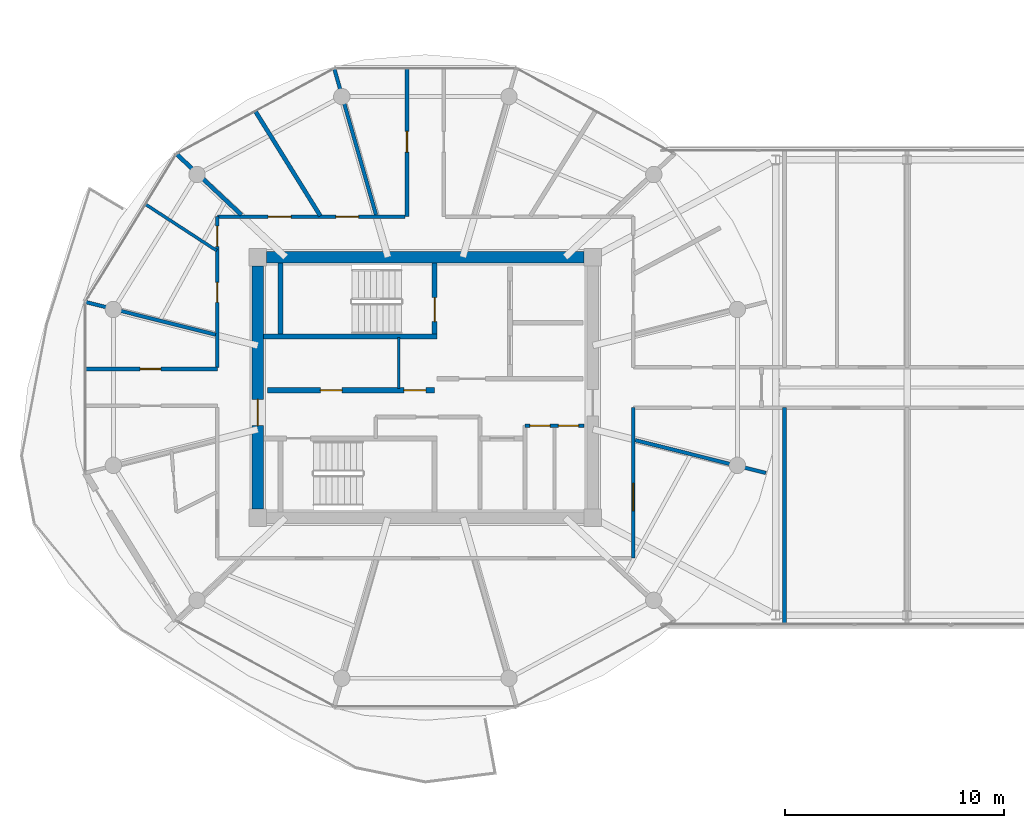
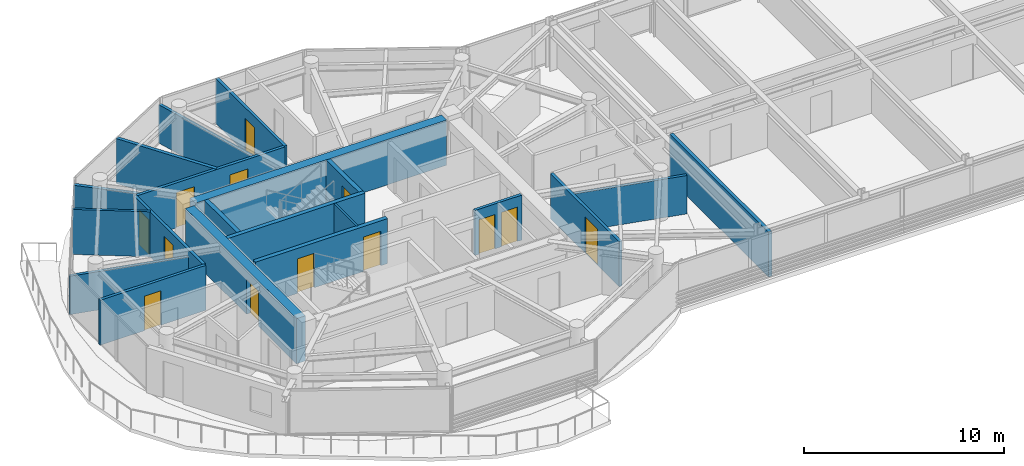
# One storey, part 14 of 23: 20 walls, 13 doors, 13 openings.
"""IFC4 building model written with IfcOpenShell, lengths in metres."""

from ifc_helpers import new_model, si_unit, direction, frame, frame_2d, origin, place, context, subcontext, project, spatial, rectangle, extrude, source, transform, mapped, material, layer, layer_set, type_object, type_shapes, element, fill, save


model = new_model("IFC4")

# Units and contexts
model_context = context("Model", 3, precision=1e-05, world=origin(), true_north=direction((0.0, 1.0)))
body_context = subcontext(model_context, "Body", "Model", "MODEL_VIEW")
ifc_project = project(units=[si_unit("LENGTHUNIT", "METRE"), si_unit("AREAUNIT", "SQUARE_METRE"), si_unit("VOLUMEUNIT", "CUBIC_METRE"), si_unit("PLANEANGLEUNIT", "RADIAN"), si_unit("MASSUNIT", "GRAM", prefix="KILO")], contexts=[model_context])

# Site, building, storey
site_placement = place(None, origin())
site = spatial("IfcSite", under=ifc_project, at=site_placement, CompositionType="ELEMENT")
building_placement = place(site_placement, origin())
building = spatial("IfcBuilding", under=site, at=building_placement, Name="Norrkilde Senior Care Towers", CompositionType="ELEMENT")
storey_placement = place(building_placement, frame((0.0, 0.0, 220.0)))
storey = spatial("IfcBuildingStorey", under=building, at=storey_placement, Name="L68", CompositionType="ELEMENT", Elevation=220.0)

# Wall
ifc_material_1 = material(Name="Concrete C50/60", Category="concrete")
ifc_layer_1 = layer(ifc_material_1, 0.52001953125)
ifc_layer_set_1 = layer_set([ifc_layer_1], Name="Concrete C50/60")
wall_type_1 = type_object("IfcWallType", Name="Core Shear Wall Z4 520", PredefinedType="SHEAR", material=ifc_layer_set_1)
shared_shape_1 = source(origin(), body_context, "Body", "SweptSolid", [
    extrude(rectangle(XDim=14.5, YDim=0.52001953125, at=frame_2d((7.25, 0.0))), origin(), (0.0, 0.0, 1.0), 2.760009765625),
])
wall_1_placement = place(storey_placement, frame((-35.25, 5.949951171875, 0.0), z_axis=(0.0, 0.0, 1.0), x_axis=(1.0, 0.0, 0.0)))
element("IfcWall", 1, at=wall_1_placement, inside=storey, type_object=wall_type_1, Name="L68 Core W North Shear Wall", PredefinedType="SHEAR", context=body_context, shape_type="MappedRepresentation", body=[
    mapped(shared_shape_1, transform((0.0, 0.0, 0.0), x_axis=(1.0, 0.0, 0.0), y_axis=(0.0, 1.0, 0.0), z_axis=(0.0, 0.0, 1.0), scale=1.0)),
])

# Wall, opening, door
shared_shape_2 = source(origin(), body_context, "Body", "SweptSolid", [
    extrude(rectangle(XDim=11.10009765625, YDim=0.52001953125, at=frame_2d((5.550048828125, 0.0))), origin(), (0.0, 0.0, 1.0), 2.760009765625),
])
type_shapes(wall_type_1, [shared_shape_1, shared_shape_2])
wall_2_placement = place(storey_placement, frame((-35.64990234375, -5.550048828125, 0.0), z_axis=(0.0, 0.0, 1.0), x_axis=(0.0, 1.0, 0.0)))
wall_2 = element("IfcWall", 2, at=wall_2_placement, inside=storey, type_object=wall_type_1, Name="L68 Core W West Shear Wall", PredefinedType="SHEAR", context=body_context, shape_type="MappedRepresentation", body=[
    mapped(shared_shape_2, transform((0.0, 0.0, 0.0), x_axis=(1.0, 0.0, 0.0), y_axis=(0.0, 1.0, 0.0), z_axis=(0.0, 0.0, 1.0), scale=1.0)),
])
opening_1_placement = place(wall_2_placement, frame((3.800048828125, 0.0, 0.0)))
opening_1 = element("IfcOpeningElement", 3, at=opening_1_placement, cuts=wall_2, Name="Opening D-04", PredefinedType="OPENING", context=body_context, shape_type="SweptSolid", body=[
    extrude(rectangle(XDim=1.199951171875, YDim=2.14990234375, at=frame_2d((0.60009765625, 1.074951171875))), frame((0.0, 0.27001953125, 0.0), z_axis=(0.0, -1.0, 0.0), x_axis=(1.0, 0.0, 0.0)), (0.0, 0.0, 1.0), 0.5400390625),
])
ifc_material_2 = material(Name="Galvanised Painted Steel", Category="steel")
door_type_1 = type_object("IfcDoorType", Name="Firefighting Lobby Fire Door 1200x2150", OperationType="NOTDEFINED", PredefinedType="DOOR", material=ifc_material_2)
shared_shape_3 = source(origin(), body_context, "Body", "SweptSolid", [
    extrude(rectangle(XDim=1.199951171875, YDim=2.14990234375, at=frame_2d((0.60009765625, 1.074951171875))), frame((0.0, 0.02490234375, 0.0), z_axis=(0.0, -1.0, 0.0), x_axis=(1.0, 0.0, 0.0)), (0.0, 0.0, 1.0), 0.050048828125),
])
type_shapes(door_type_1, [shared_shape_3])
door_1_placement = place(opening_1_placement, frame((1.199951171875, 0.0, 0.0), z_axis=(0.0, 0.0, 1.0), x_axis=(-1.0, 0.0, 0.0)))
door_1 = element("IfcDoor", 4, at=door_1_placement, inside=storey, type_object=door_type_1, Name="L68 Core W West Portal Door", OperationType="SINGLE_SWING_LEFT", OverallHeight=2.14990234375, OverallWidth=1.199951171875, PredefinedType="DOOR", context=body_context, shape_type="MappedRepresentation", body=[
    mapped(shared_shape_3, transform((0.0, 0.0, 0.0), x_axis=(1.0, 0.0, 0.0), y_axis=(0.0, 1.0, 0.0), z_axis=(0.0, 0.0, 1.0), scale=1.0)),
])
fill(opening_1, door_1)

# Walls
ifc_material_3 = material(Name="Concrete C45/55", Category="concrete")
ifc_layer_2 = layer(ifc_material_3, 0.239990234375)
ifc_layer_set_2 = layer_set([ifc_layer_2], Name="Concrete C45/55")
wall_type_2 = type_object("IfcWallType", Name="Shaft and Stair Enclosure Wall 240", PredefinedType="PARTITIONING", material=ifc_layer_set_2)
shared_shape_4 = source(origin(), body_context, "Body", "SweptSolid", [
    extrude(rectangle(XDim=7.929931640625, YDim=0.239990234375, at=frame_2d((3.96484375, 0.0))), origin(), (0.0, 0.0, 1.0), 2.760009765625),
])
wall_3_placement = place(storey_placement, frame((-35.389892578125, 2.330078125, 0.0), z_axis=(0.0, 0.0, 1.0), x_axis=(1.0, 0.0, 0.0)))
element("IfcWall", 5, at=wall_3_placement, inside=storey, type_object=wall_type_2, Name="WL-INT-L68-W-ST1S", PredefinedType="PARTITIONING", context=body_context, shape_type="MappedRepresentation", body=[
    mapped(shared_shape_4, transform((0.0, 0.0, 0.0), x_axis=(1.0, 0.0, 0.0), y_axis=(0.0, 1.0, 0.0), z_axis=(0.0, 0.0, 1.0), scale=1.0)),
])
shared_shape_5 = source(origin(), body_context, "Body", "SweptSolid", [
    extrude(rectangle(XDim=3.239990234375, YDim=0.239990234375, at=frame_2d((1.6201171875, 0.0))), origin(), (0.0, 0.0, 1.0), 2.760009765625),
])
type_shapes(wall_type_2, [shared_shape_4, shared_shape_5])
wall_4_placement = place(storey_placement, frame((-34.6201171875, 2.449951171875, 0.0), z_axis=(0.0, 0.0, 1.0), x_axis=(0.0, 1.0, 0.0)))
element("IfcWall", 6, at=wall_4_placement, inside=storey, type_object=wall_type_2, Name="WL-INT-L68-W-ST1W", PredefinedType="PARTITIONING", context=body_context, shape_type="MappedRepresentation", body=[
    mapped(shared_shape_5, transform((0.0, 0.0, 0.0), x_axis=(1.0, 0.0, 0.0), y_axis=(0.0, 1.0, 0.0), z_axis=(0.0, 0.0, 1.0), scale=1.0)),
])

# Wall, opening, door
wall_5_placement = place(storey_placement, frame((-27.580078125, 2.449951171875, 0.0), z_axis=(0.0, 0.0, 1.0), x_axis=(0.0, 1.0, 0.0)))
wall_5 = element("IfcWall", 7, at=wall_5_placement, inside=storey, type_object=wall_type_2, Name="WL-INT-L68-W-ST1E", PredefinedType="PARTITIONING", context=body_context, shape_type="MappedRepresentation", body=[
    mapped(shared_shape_5, transform((0.0, 0.0, 0.0), x_axis=(1.0, 0.0, 0.0), y_axis=(0.0, 1.0, 0.0), z_axis=(0.0, 0.0, 1.0), scale=1.0)),
])
opening_2_placement = place(wall_5_placement, frame((0.550048828125, 0.0, 0.0)))
opening_2 = element("IfcOpeningElement", 8, at=opening_2_placement, cuts=wall_5, Name="Opening D-03", PredefinedType="OPENING", context=body_context, shape_type="SweptSolid", body=[
    extrude(rectangle(XDim=1.10009765625, YDim=2.14990234375, at=frame_2d((0.550048828125, 1.074951171875))), frame((0.0, 0.1298828125, 0.0), z_axis=(0.0, -1.0, 0.0), x_axis=(1.0, 0.0, 0.0)), (0.0, 0.0, 1.0), 0.260009765625),
])
door_type_2 = type_object("IfcDoorType", Name="Stairwell Protected Fire Door 1100x2150", OperationType="NOTDEFINED", PredefinedType="DOOR", material=ifc_material_2)
shared_shape_6 = source(origin(), body_context, "Body", "SweptSolid", [
    extrude(rectangle(XDim=1.10009765625, YDim=2.14990234375, at=frame_2d((0.550048828125, 1.074951171875))), frame((0.0, 0.02490234375, 0.0), z_axis=(0.0, -1.0, 0.0), x_axis=(1.0, 0.0, 0.0)), (0.0, 0.0, 1.0), 0.050048828125),
])
type_shapes(door_type_2, [shared_shape_6])
door_2_placement = place(opening_2_placement, origin())
door_2 = element("IfcDoor", 9, at=door_2_placement, inside=storey, type_object=door_type_2, Name="L68 Stair W1 Fire Door", OperationType="SINGLE_SWING_LEFT", OverallHeight=2.14990234375, OverallWidth=1.10009765625, PredefinedType="DOOR", context=body_context, shape_type="MappedRepresentation", body=[
    mapped(shared_shape_6, transform((0.0, 0.0, 0.0), x_axis=(1.0, 0.0, 0.0), y_axis=(0.0, 1.0, 0.0), z_axis=(0.0, 0.0, 1.0), scale=1.0)),
])
fill(opening_2, door_2)

# Wall, openings, doors
ifc_layer_3 = layer(ifc_material_3, 0.239990234375)
ifc_layer_set_3 = layer_set([ifc_layer_3], Name="Concrete C45/55")
wall_type_3 = type_object("IfcWallType", Name="Lift and Plant Rated Enclosure Partition 240", PredefinedType="PARTITIONING", material=ifc_layer_set_3)
shared_shape_7 = source(origin(), body_context, "Body", "SweptSolid", [
    extrude(rectangle(XDim=7.619873046875, YDim=0.239990234375, at=frame_2d((3.81005859375, 0.0))), origin(), (0.0, 0.0, 1.0), 2.7451171875),
])
type_shapes(wall_type_3, [shared_shape_7])
wall_6_placement = place(storey_placement, frame((-35.199951171875, -0.1298828125, 0.0), z_axis=(0.0, 0.0, 1.0), x_axis=(1.0, 0.0, 0.0)))
wall_6 = element("IfcWall", 10, at=wall_6_placement, inside=storey, type_object=wall_type_3, Name="WL-INT-L68-W-PKAS", PredefinedType="PARTITIONING", context=body_context, shape_type="MappedRepresentation", body=[
    mapped(shared_shape_7, transform((0.0, 0.0, 0.0), x_axis=(1.0, 0.0, 0.0), y_axis=(0.0, 1.0, 0.0), z_axis=(0.0, 0.0, 1.0), scale=1.0)),
])
opening_3_placement = place(wall_6_placement, frame((6.219970703125, 0.0, 0.0)))
opening_3 = element("IfcOpeningElement", 11, at=opening_3_placement, cuts=wall_6, Name="Opening D-10", PredefinedType="OPENING", context=body_context, shape_type="SweptSolid", body=[
    extrude(rectangle(XDim=1.0, YDim=2.10009765625, at=frame_2d((0.5, 1.050048828125))), frame((0.0, 0.1298828125, 0.0), z_axis=(0.0, -1.0, 0.0), x_axis=(1.0, 0.0, 0.0)), (0.0, 0.0, 1.0), 0.260009765625),
])
opening_4_placement = place(wall_6_placement, frame((2.39990234375, 0.0, 0.0)))
opening_4 = element("IfcOpeningElement", 12, at=opening_4_placement, cuts=wall_6, Name="Opening D-10", PredefinedType="OPENING", context=body_context, shape_type="SweptSolid", body=[
    extrude(rectangle(XDim=1.0, YDim=2.10009765625, at=frame_2d((0.5, 1.050048828125))), frame((0.0, 0.1298828125, 0.0), z_axis=(0.0, -1.0, 0.0), x_axis=(1.0, 0.0, 0.0)), (0.0, 0.0, 1.0), 0.260009765625),
])
door_type_3 = type_object("IfcDoorType", Name="Plant and Riser Rated Door 1000x2100", OperationType="NOTDEFINED", PredefinedType="DOOR", material=ifc_material_2)
shared_shape_8 = source(origin(), body_context, "Body", "SweptSolid", [
    extrude(rectangle(XDim=1.0, YDim=2.10009765625, at=frame_2d((0.5, 1.050048828125))), frame((0.0, 0.02490234375, 0.0), z_axis=(0.0, -1.0, 0.0), x_axis=(1.0, 0.0, 0.0)), (0.0, 0.0, 1.0), 0.050048828125),
])
type_shapes(door_type_3, [shared_shape_8])
door_3_placement = place(opening_3_placement, frame((1.0, 0.0, 0.0), z_axis=(0.0, 0.0, 1.0), x_axis=(-1.0, 0.0, 0.0)))
door_3 = element("IfcDoor", 13, at=door_3_placement, inside=storey, type_object=door_type_3, Name="L68 Electrical Riser W Door", OperationType="SINGLE_SWING_LEFT", OverallHeight=2.10009765625, OverallWidth=1.0, PredefinedType="DOOR", context=body_context, shape_type="MappedRepresentation", body=[
    mapped(shared_shape_8, transform((0.0, 0.0, 0.0), x_axis=(1.0, 0.0, 0.0), y_axis=(0.0, 1.0, 0.0), z_axis=(0.0, 0.0, 1.0), scale=1.0)),
])
fill(opening_3, door_3)
door_4_placement = place(opening_4_placement, frame((1.0, 0.0, 0.0), z_axis=(0.0, 0.0, 1.0), x_axis=(-1.0, 0.0, 0.0)))
door_4 = element("IfcDoor", 14, at=door_4_placement, inside=storey, type_object=door_type_3, Name="L68 Clean Supply Store W Door", OperationType="SINGLE_SWING_LEFT", OverallHeight=2.10009765625, OverallWidth=1.0, PredefinedType="DOOR", context=body_context, shape_type="MappedRepresentation", body=[
    mapped(shared_shape_8, transform((0.0, 0.0, 0.0), x_axis=(1.0, 0.0, 0.0), y_axis=(0.0, 1.0, 0.0), z_axis=(0.0, 0.0, 1.0), scale=1.0)),
])
fill(opening_4, door_4)

# Wall
ifc_material_4 = material(Name="Gypsum Acoustic Board")
ifc_layer_4 = layer(ifc_material_4, 0.114990234375)
ifc_layer_set_4 = layer_set([ifc_layer_4], Name="Gypsum Acoustic Board")
wall_type_4 = type_object("IfcWallType", Name="Internal Room Partition 115", PredefinedType="PARTITIONING", material=ifc_layer_set_4)
shared_shape_9 = source(origin(), body_context, "Body", "SweptSolid", [
    extrude(rectangle(XDim=2.330078125, YDim=0.114990234375, at=frame_2d((1.1650390625, 0.0))), origin(), (0.0, 0.0, 1.0), 2.7451171875),
])
type_shapes(wall_type_4, [shared_shape_9])
wall_7_placement = place(storey_placement, frame((-29.2099609375, -0.050048828125, 0.0), z_axis=(0.0, 0.0, 1.0), x_axis=(0.0, 1.0, 0.0)))
element("IfcWall", 15, at=wall_7_placement, inside=storey, type_object=wall_type_4, Name="WL-INT-L68-W-RISW", PredefinedType="PARTITIONING", context=body_context, shape_type="MappedRepresentation", body=[
    mapped(shared_shape_9, transform((0.0, 0.0, 0.0), x_axis=(1.0, 0.0, 0.0), y_axis=(0.0, 1.0, 0.0), z_axis=(0.0, 0.0, 1.0), scale=1.0)),
])

# Wall, openings, doors
ifc_layer_5 = layer(ifc_material_4, 0.1650390625)
ifc_layer_set_5 = layer_set([ifc_layer_5], Name="Gypsum Acoustic Board")
wall_type_5 = type_object("IfcWallType", Name="Corridor Rated Partition 165", PredefinedType="PARTITIONING", material=ifc_layer_set_5)
shared_shape_10 = source(origin(), body_context, "Body", "SweptSolid", [
    extrude(rectangle(XDim=2.699951171875, YDim=0.1650390625, at=frame_2d((1.35009765625, 0.0))), origin(), (0.0, 0.0, 1.0), 2.7451171875),
])
wall_8_placement = place(storey_placement, frame((-23.449951171875, -1.75, 0.0), z_axis=(0.0, 0.0, 1.0), x_axis=(1.0, 0.0, 0.0)))
wall_8 = element("IfcWall", 16, at=wall_8_placement, inside=storey, type_object=wall_type_5, Name="WL-INT-L68-W-CSN", PredefinedType="PARTITIONING", context=body_context, shape_type="MappedRepresentation", body=[
    mapped(shared_shape_10, transform((0.0, 0.0, 0.0), x_axis=(1.0, 0.0, 0.0), y_axis=(0.0, 1.0, 0.0), z_axis=(0.0, 0.0, 1.0), scale=1.0)),
])
opening_5_placement = place(wall_8_placement, frame((0.222412109375, 0.0, 0.0)))
opening_5 = element("IfcOpeningElement", 17, at=opening_5_placement, cuts=wall_8, Name="Opening D-12", PredefinedType="OPENING", context=body_context, shape_type="SweptSolid", body=[
    extrude(rectangle(XDim=0.925048828125, YDim=2.10009765625, at=frame_2d((0.46240234375, 1.050048828125))), frame((0.0, 0.092529296875, 0.0), z_axis=(0.0, -1.0, 0.0), x_axis=(1.0, 0.0, 0.0)), (0.0, 0.0, 1.0), 0.18505859375),
])
opening_6_placement = place(wall_8_placement, frame((1.5224609375, 0.0, 0.0)))
opening_6 = element("IfcOpeningElement", 18, at=opening_6_placement, cuts=wall_8, Name="Opening D-12", PredefinedType="OPENING", context=body_context, shape_type="SweptSolid", body=[
    extrude(rectangle(XDim=0.925048828125, YDim=2.10009765625, at=frame_2d((0.46240234375, 1.050048828125))), frame((0.0, 0.092529296875, 0.0), z_axis=(0.0, -1.0, 0.0), x_axis=(1.0, 0.0, 0.0)), (0.0, 0.0, 1.0), 0.18505859375),
])
door_type_4 = type_object("IfcDoorType", Name="Core Wet Room Rated Door 925x2100", OperationType="NOTDEFINED", PredefinedType="DOOR", material=ifc_material_2)
shared_shape_11 = source(origin(), body_context, "Body", "SweptSolid", [
    extrude(rectangle(XDim=0.925048828125, YDim=2.10009765625, at=frame_2d((0.46240234375, 1.050048828125))), frame((0.0, 0.02490234375, 0.0), z_axis=(0.0, -1.0, 0.0), x_axis=(1.0, 0.0, 0.0)), (0.0, 0.0, 1.0), 0.050048828125),
])
type_shapes(door_type_4, [shared_shape_11])
door_5_placement = place(opening_5_placement, origin())
door_5 = element("IfcDoor", 19, at=door_5_placement, inside=storey, type_object=door_type_4, Name="L68 Staff Accessible WC W Door", OperationType="SINGLE_SWING_LEFT", OverallHeight=2.10009765625, OverallWidth=0.925048828125, PredefinedType="DOOR", context=body_context, shape_type="MappedRepresentation", body=[
    mapped(shared_shape_11, transform((0.0, 0.0, 0.0), x_axis=(1.0, 0.0, 0.0), y_axis=(0.0, 1.0, 0.0), z_axis=(0.0, 0.0, 1.0), scale=1.0)),
])
fill(opening_5, door_5)
door_6_placement = place(opening_6_placement, origin())
door_6 = element("IfcDoor", 20, at=door_6_placement, inside=storey, type_object=door_type_4, Name="L68 Housekeeping Store W Door", OperationType="SINGLE_SWING_RIGHT", OverallHeight=2.10009765625, OverallWidth=0.925048828125, PredefinedType="DOOR", context=body_context, shape_type="MappedRepresentation", body=[
    mapped(shared_shape_11, transform((0.0, 0.0, 0.0), x_axis=(1.0, 0.0, 0.0), y_axis=(0.0, 1.0, 0.0), z_axis=(0.0, 0.0, 1.0), scale=1.0)),
])
fill(opening_6, door_6)

shared_shape_12 = source(origin(), body_context, "Body", "SweptSolid", [
    extrude(rectangle(XDim=8.580078125, YDim=0.1650390625, at=frame_2d((4.2900390625, 0.0))), origin(), (0.0, 0.0, 1.0), 2.7451171875),
])
wall_9_placement = place(storey_placement, frame((-37.5, 7.800048828125, 0.0), z_axis=(0.0, 0.0, 1.0), x_axis=(1.0, 0.0, 0.0)))
wall_9 = element("IfcWall", 21, at=wall_9_placement, inside=storey, type_object=wall_type_5, Name="WL-INT-L68-W-CRW-N-0", PredefinedType="PARTITIONING", context=body_context, shape_type="MappedRepresentation", body=[
    mapped(shared_shape_12, transform((0.0, 0.0, 0.0), x_axis=(1.0, 0.0, 0.0), y_axis=(0.0, 1.0, 0.0), z_axis=(0.0, 0.0, 1.0), scale=1.0)),
])
opening_7_placement = place(wall_9_placement, frame((5.40771484375, 0.0, 0.0)))
opening_7 = element("IfcOpeningElement", 22, at=opening_7_placement, cuts=wall_9, Name="Opening D-06", PredefinedType="OPENING", context=body_context, shape_type="SweptSolid", body=[
    extrude(rectangle(XDim=1.050048828125, YDim=2.14990234375, at=frame_2d((0.52490234375, 1.074951171875))), frame((0.0, 0.092529296875, 0.0), z_axis=(0.0, -1.0, 0.0), x_axis=(1.0, 0.0, 0.0)), (0.0, 0.0, 1.0), 0.18505859375),
])
opening_8_placement = place(wall_9_placement, frame((2.316650390625, 0.0, 0.0)))
opening_8 = element("IfcOpeningElement", 23, at=opening_8_placement, cuts=wall_9, Name="Opening D-06", PredefinedType="OPENING", context=body_context, shape_type="SweptSolid", body=[
    extrude(rectangle(XDim=1.050048828125, YDim=2.14990234375, at=frame_2d((0.52490234375, 1.074951171875))), frame((0.0, 0.092529296875, 0.0), z_axis=(0.0, -1.0, 0.0), x_axis=(1.0, 0.0, 0.0)), (0.0, 0.0, 1.0), 0.18505859375),
])
ifc_material_5 = material(Name="Nordic Ash Timber", Category="wood")
door_type_5 = type_object("IfcDoorType", Name="Apartment Entrance Fire Door 1050x2150", OperationType="NOTDEFINED", PredefinedType="DOOR", material=ifc_material_5)
shared_shape_13 = source(origin(), body_context, "Body", "SweptSolid", [
    extrude(rectangle(XDim=1.050048828125, YDim=2.14990234375, at=frame_2d((0.52490234375, 1.074951171875))), frame((0.0, 0.02490234375, 0.0), z_axis=(0.0, -1.0, 0.0), x_axis=(1.0, 0.0, 0.0)), (0.0, 0.0, 1.0), 0.050048828125),
])
type_shapes(door_type_5, [shared_shape_13])
door_7_placement = place(opening_7_placement, frame((1.050048828125, 0.0, 0.0), z_axis=(0.0, 0.0, 1.0), x_axis=(-1.0, 0.0, 0.0)))
door_7 = element("IfcDoor", 24, at=door_7_placement, inside=storey, type_object=door_type_5, Name="L68 Physiotherapy Clinic 3A Door", OperationType="SINGLE_SWING_RIGHT", OverallHeight=2.14990234375, OverallWidth=1.050048828125, PredefinedType="DOOR", context=body_context, shape_type="MappedRepresentation", body=[
    mapped(shared_shape_13, transform((0.0, 0.0, 0.0), x_axis=(1.0, 0.0, 0.0), y_axis=(0.0, 1.0, 0.0), z_axis=(0.0, 0.0, 1.0), scale=1.0)),
])
fill(opening_7, door_7)
door_8_placement = place(opening_8_placement, frame((1.050048828125, 0.0, 0.0), z_axis=(0.0, 0.0, 1.0), x_axis=(-1.0, 0.0, 0.0)))
door_8 = element("IfcDoor", 25, at=door_8_placement, inside=storey, type_object=door_type_5, Name="L68 Assessment Clinic 3B Door", OperationType="SINGLE_SWING_LEFT", OverallHeight=2.14990234375, OverallWidth=1.050048828125, PredefinedType="DOOR", context=body_context, shape_type="MappedRepresentation", body=[
    mapped(shared_shape_13, transform((0.0, 0.0, 0.0), x_axis=(1.0, 0.0, 0.0), y_axis=(0.0, 1.0, 0.0), z_axis=(0.0, 0.0, 1.0), scale=1.0)),
])
fill(opening_8, door_8)

shared_shape_14 = source(origin(), body_context, "Body", "SweptSolid", [
    extrude(rectangle(XDim=6.880126953125, YDim=0.1650390625, at=frame_2d((3.43994140625, 0.0))), origin(), (0.0, 0.0, 1.0), 2.7451171875),
])
wall_10_placement = place(storey_placement, frame((-37.5, 0.919921875, 0.0), z_axis=(0.0, 0.0, 1.0), x_axis=(0.0, 1.0, 0.0)))
wall_10 = element("IfcWall", 26, at=wall_10_placement, inside=storey, type_object=wall_type_5, Name="WL-INT-L68-W-CRW-W-1", PredefinedType="PARTITIONING", context=body_context, shape_type="MappedRepresentation", body=[
    mapped(shared_shape_14, transform((0.0, 0.0, 0.0), x_axis=(1.0, 0.0, 0.0), y_axis=(0.0, 1.0, 0.0), z_axis=(0.0, 0.0, 1.0), scale=1.0)),
])
opening_9_placement = place(wall_10_placement, frame((5.525146484375, 0.0, 0.0)))
opening_9 = element("IfcOpeningElement", 27, at=opening_9_placement, cuts=wall_10, Name="Opening D-08", PredefinedType="OPENING", context=body_context, shape_type="SweptSolid", body=[
    extrude(rectangle(XDim=0.919921875, YDim=2.10009765625, at=frame_2d((0.4599609375, 1.050048828125))), frame((0.0, 0.092529296875, 0.0), z_axis=(0.0, -1.0, 0.0), x_axis=(1.0, 0.0, 0.0)), (0.0, 0.0, 1.0), 0.18505859375),
])
opening_10_placement = place(wall_10_placement, frame((2.96240234375, 0.0, 0.0)))
opening_10 = element("IfcOpeningElement", 28, at=opening_10_placement, cuts=wall_10, Name="Opening D-08", PredefinedType="OPENING", context=body_context, shape_type="SweptSolid", body=[
    extrude(rectangle(XDim=0.919921875, YDim=2.10009765625, at=frame_2d((0.4599609375, 1.050048828125))), frame((0.0, 0.092529296875, 0.0), z_axis=(0.0, -1.0, 0.0), x_axis=(1.0, 0.0, 0.0)), (0.0, 0.0, 1.0), 0.18505859375),
])
door_type_6 = type_object("IfcDoorType", Name="Accessible Wet Room Door 920x2100", OperationType="NOTDEFINED", PredefinedType="DOOR", material=ifc_material_5)
shared_shape_15 = source(origin(), body_context, "Body", "SweptSolid", [
    extrude(rectangle(XDim=0.919921875, YDim=2.10009765625, at=frame_2d((0.4599609375, 1.050048828125))), frame((0.0, 0.02490234375, 0.0), z_axis=(0.0, -1.0, 0.0), x_axis=(1.0, 0.0, 0.0)), (0.0, 0.0, 1.0), 0.050048828125),
])
type_shapes(door_type_6, [shared_shape_15])
door_9_placement = place(opening_9_placement, frame((0.919921875, 0.0, 0.0), z_axis=(0.0, 0.0, 1.0), x_axis=(-1.0, 0.0, 0.0)))
door_9 = element("IfcDoor", 29, at=door_9_placement, inside=storey, type_object=door_type_6, Name="L68 Accessible Restroom Door", OperationType="SINGLE_SWING_LEFT", OverallHeight=2.10009765625, OverallWidth=0.919921875, PredefinedType="DOOR", context=body_context, shape_type="MappedRepresentation", body=[
    mapped(shared_shape_15, transform((0.0, 0.0, 0.0), x_axis=(1.0, 0.0, 0.0), y_axis=(0.0, 1.0, 0.0), z_axis=(0.0, 0.0, 1.0), scale=1.0)),
])
fill(opening_9, door_9)
door_10_placement = place(opening_10_placement, frame((0.919921875, 0.0, 0.0), z_axis=(0.0, 0.0, 1.0), x_axis=(-1.0, 0.0, 0.0)))
door_10 = element("IfcDoor", 30, at=door_10_placement, inside=storey, type_object=door_type_6, Name="L68 Public Restroom Door", OperationType="SINGLE_SWING_RIGHT", OverallHeight=2.10009765625, OverallWidth=0.919921875, PredefinedType="DOOR", context=body_context, shape_type="MappedRepresentation", body=[
    mapped(shared_shape_15, transform((0.0, 0.0, 0.0), x_axis=(1.0, 0.0, 0.0), y_axis=(0.0, 1.0, 0.0), z_axis=(0.0, 0.0, 1.0), scale=1.0)),
])
fill(opening_10, door_10)

# Wall, opening, door
wall_11_placement = place(storey_placement, frame((-18.5, -0.919921875, 0.0), z_axis=(0.0, 0.0, 1.0), x_axis=(0.0, -1.0, 0.0)))
wall_11 = element("IfcWall", 31, at=wall_11_placement, inside=storey, type_object=wall_type_5, Name="WL-INT-L68-W-CRW-E-1", PredefinedType="PARTITIONING", context=body_context, shape_type="MappedRepresentation", body=[
    mapped(shared_shape_14, transform((0.0, 0.0, 0.0), x_axis=(1.0, 0.0, 0.0), y_axis=(0.0, 1.0, 0.0), z_axis=(0.0, 0.0, 1.0), scale=1.0)),
])
opening_11_placement = place(wall_11_placement, frame((3.46435546875, 0.0, 0.0)))
opening_11 = element("IfcOpeningElement", 32, at=opening_11_placement, cuts=wall_11, Name="Opening D-05", PredefinedType="OPENING", context=body_context, shape_type="SweptSolid", body=[
    extrude(rectangle(XDim=1.25, YDim=2.199951171875, at=frame_2d((0.625, 1.10009765625))), frame((0.0, 0.092529296875, 0.0), z_axis=(0.0, -1.0, 0.0), x_axis=(1.0, 0.0, 0.0)), (0.0, 0.0, 1.0), 0.18505859375),
])
door_type_7 = type_object("IfcDoorType", Name="Care Bedroom Bariatric Door 1250x2200", OperationType="NOTDEFINED", PredefinedType="DOOR", material=ifc_material_5)
shared_shape_16 = source(origin(), body_context, "Body", "SweptSolid", [
    extrude(rectangle(XDim=1.25, YDim=2.199951171875, at=frame_2d((0.625, 1.10009765625))), frame((0.0, 0.02490234375, 0.0), z_axis=(0.0, -1.0, 0.0), x_axis=(1.0, 0.0, 0.0)), (0.0, 0.0, 1.0), 0.050048828125),
])
type_shapes(door_type_7, [shared_shape_16])
door_11_placement = place(opening_11_placement, frame((1.25, 0.0, 0.0), z_axis=(0.0, 0.0, 1.0), x_axis=(-1.0, 0.0, 0.0)))
door_11 = element("IfcDoor", 33, at=door_11_placement, inside=storey, type_object=door_type_7, Name="L68 Household Therapeutic Kitchen Door", OperationType="SINGLE_SWING_LEFT", OverallHeight=2.199951171875, OverallWidth=1.25, PredefinedType="DOOR", context=body_context, shape_type="MappedRepresentation", body=[
    mapped(shared_shape_16, transform((0.0, 0.0, 0.0), x_axis=(1.0, 0.0, 0.0), y_axis=(0.0, 1.0, 0.0), z_axis=(0.0, 0.0, 1.0), scale=1.0)),
])
fill(opening_11, door_11)

# Walls
shared_shape_17 = source(origin(), body_context, "Body", "SweptSolid", [
    extrude(rectangle(XDim=6.973876953125, YDim=0.1650390625, at=frame_2d((3.48681640625, 0.0))), origin(), (0.0, 0.0, 1.0), 2.344970703125),
])
wall_12_placement = place(storey_placement, frame((-30.251220703125, 7.8798828125, 0.0), z_axis=(0.0, 0.0, 1.0), x_axis=(-0.274707256801, 0.961527910703, 0.0)))
element("IfcWall", 34, at=wall_12_placement, inside=storey, type_object=wall_type_5, Name="WL-INT-L68-W-DEM-03-0", PredefinedType="PARTITIONING", context=body_context, shape_type="MappedRepresentation", body=[
    mapped(shared_shape_17, transform((0.0, 0.0, 0.0), x_axis=(1.0, 0.0, 0.0), y_axis=(0.0, 1.0, 0.0), z_axis=(0.0, 0.0, 1.0), scale=1.0)),
])
shared_shape_18 = source(origin(), body_context, "Body", "SweptSolid", [
    extrude(rectangle(XDim=6.1572265625, YDim=0.1650390625, at=frame_2d((3.07861328125, 0.0))), origin(), (0.0, 0.0, 1.0), 2.344970703125),
])
for number, where, z_axis, x_axis, name in (
    (35, (-37.580078125, 2.407470703125, 0.0), (0.0, 0.0, 1.0), (-0.969840867184, 0.243738984038, 0.0), "WL-INT-L68-W-DEM-05-0"),
    (36, (-18.419921875, -2.407470703125, 0.0), (0.0, 0.0, 1.0), (0.969840867184, -0.243738984038, 0.0), "WL-INT-L68-W-DEM-11-0"),
):
    element("IfcWall", number, at=place(storey_placement, frame(where, z_axis=z_axis, x_axis=x_axis)), inside=storey, type_object=wall_type_5, Name=name, PredefinedType="PARTITIONING", context=body_context, shape_type="MappedRepresentation", body=[
        mapped(shared_shape_18, transform((0.0, 0.0, 0.0), x_axis=(1.0, 0.0, 0.0), y_axis=(0.0, 1.0, 0.0), z_axis=(0.0, 0.0, 1.0), scale=1.0)),
    ])

# Wall, opening, door
shared_shape_19 = source(origin(), body_context, "Body", "SweptSolid", [
    extrude(rectangle(XDim=6.83544921875, YDim=0.1650390625, at=frame_2d((3.417724609375, 0.0))), origin(), (0.0, 0.0, 1.0), 2.7451171875),
])
wall_13_placement = place(storey_placement, frame((-28.840087890625, 7.800048828125, 0.0), z_axis=(0.0, 0.0, 1.0), x_axis=(0.0, 1.0, 0.0)))
wall_13 = element("IfcWall", 37, at=wall_13_placement, inside=storey, type_object=wall_type_5, Name="WL-INT-L68-W-SPK-N1-0", PredefinedType="PARTITIONING", context=body_context, shape_type="MappedRepresentation", body=[
    mapped(shared_shape_19, transform((0.0, 0.0, 0.0), x_axis=(1.0, 0.0, 0.0), y_axis=(0.0, 1.0, 0.0), z_axis=(0.0, 0.0, 1.0), scale=1.0)),
])
opening_12_placement = place(wall_13_placement, frame((2.942626953125, 0.0, 0.0)))
opening_12 = element("IfcOpeningElement", 38, at=opening_12_placement, cuts=wall_13, Name="Opening D-07", PredefinedType="OPENING", context=body_context, shape_type="SweptSolid", body=[
    extrude(rectangle(XDim=0.949951171875, YDim=2.10009765625, at=frame_2d((0.47509765625, 1.050048828125))), frame((0.0, 0.092529296875, 0.0), z_axis=(0.0, -1.0, 0.0), x_axis=(1.0, 0.0, 0.0)), (0.0, 0.0, 1.0), 0.18505859375),
])
door_type_8 = type_object("IfcDoorType", Name="Internal Suite Bedroom Door 950x2100", OperationType="NOTDEFINED", PredefinedType="DOOR", material=ifc_material_5)
shared_shape_20 = source(origin(), body_context, "Body", "SweptSolid", [
    extrude(rectangle(XDim=0.949951171875, YDim=2.10009765625, at=frame_2d((0.47509765625, 1.050048828125))), frame((0.0, 0.02490234375, 0.0), z_axis=(0.0, -1.0, 0.0), x_axis=(1.0, 0.0, 0.0)), (0.0, 0.0, 1.0), 0.050048828125),
])
type_shapes(door_type_8, [shared_shape_20])
door_12_placement = place(opening_12_placement, frame((0.949951171875, 0.0, 0.0), z_axis=(0.0, 0.0, 1.0), x_axis=(-1.0, 0.0, 0.0)))
door_12 = element("IfcDoor", 39, at=door_12_placement, inside=storey, type_object=door_type_8, Name="L68 Sun Reading Lounge 3 Door", OperationType="SINGLE_SWING_RIGHT", OverallHeight=2.10009765625, OverallWidth=0.949951171875, PredefinedType="DOOR", context=body_context, shape_type="MappedRepresentation", body=[
    mapped(shared_shape_20, transform((0.0, 0.0, 0.0), x_axis=(1.0, 0.0, 0.0), y_axis=(0.0, 1.0, 0.0), z_axis=(0.0, 0.0, 1.0), scale=1.0)),
])
fill(opening_12, door_12)

shared_shape_21 = source(origin(), body_context, "Body", "SweptSolid", [
    extrude(rectangle(XDim=6.101318359375, YDim=0.1650390625, at=frame_2d((3.05078125, 0.0))), origin(), (0.0, 0.0, 1.0), 2.7451171875),
])
type_shapes(wall_type_5, [shared_shape_10, shared_shape_12, shared_shape_14, shared_shape_17, shared_shape_18, shared_shape_19, shared_shape_21])
wall_14_placement = place(storey_placement, frame((-43.601318359375, 0.840087890625, 0.0), z_axis=(0.0, 0.0, 1.0), x_axis=(1.0, 0.0, 0.0)))
wall_14 = element("IfcWall", 40, at=wall_14_placement, inside=storey, type_object=wall_type_5, Name="WL-INT-L68-W-SPK-W1-0", PredefinedType="PARTITIONING", context=body_context, shape_type="MappedRepresentation", body=[
    mapped(shared_shape_21, transform((0.0, 0.0, 0.0), x_axis=(1.0, 0.0, 0.0), y_axis=(0.0, 1.0, 0.0), z_axis=(0.0, 0.0, 1.0), scale=1.0)),
])
opening_13_placement = place(wall_14_placement, frame((2.57568359375, 0.0, 0.0)))
opening_13 = element("IfcOpeningElement", 41, at=opening_13_placement, cuts=wall_14, Name="Opening D-07", PredefinedType="OPENING", context=body_context, shape_type="SweptSolid", body=[
    extrude(rectangle(XDim=0.949951171875, YDim=2.10009765625, at=frame_2d((0.47509765625, 1.050048828125))), frame((0.0, 0.092529296875, 0.0), z_axis=(0.0, -1.0, 0.0), x_axis=(1.0, 0.0, 0.0)), (0.0, 0.0, 1.0), 0.18505859375),
])
door_13_placement = place(opening_13_placement, frame((0.949951171875, 0.0, 0.0), z_axis=(0.0, 0.0, 1.0), x_axis=(-1.0, 0.0, 0.0)))
door_13 = element("IfcDoor", 42, at=door_13_placement, inside=storey, type_object=door_type_8, Name="L68 Sun Reading Lounge 2 Door", OperationType="SINGLE_SWING_LEFT", OverallHeight=2.10009765625, OverallWidth=0.949951171875, PredefinedType="DOOR", context=body_context, shape_type="MappedRepresentation", body=[
    mapped(shared_shape_20, transform((0.0, 0.0, 0.0), x_axis=(1.0, 0.0, 0.0), y_axis=(0.0, 1.0, 0.0), z_axis=(0.0, 0.0, 1.0), scale=1.0)),
])
fill(opening_13, door_13)

# Walls
ifc_layer_6 = layer(ifc_material_4, 0.18994140625)
ifc_layer_set_6 = layer_set([ifc_layer_6], Name="Gypsum Acoustic Board")
wall_type_6 = type_object("IfcWallType", Name="Unit Demising Acoustic Wall 190", PredefinedType="PARTITIONING", material=ifc_layer_set_6)
shared_shape_22 = source(origin(), body_context, "Body", "SweptSolid", [
    extrude(rectangle(XDim=4.089111328125, YDim=0.18994140625, at=frame_2d((2.04443359375, 0.0))), origin(), (0.0, 0.0, 1.0), 2.344970703125),
])
wall_15_placement = place(storey_placement, frame((-36.40185546875, 7.8798828125, 0.0), z_axis=(0.0, 0.0, 1.0), x_axis=(-0.729401273609, 0.684086092577, 0.0)))
element("IfcWall", 43, at=wall_15_placement, inside=storey, type_object=wall_type_6, Name="WL-INT-L68-W-DEM-04-0", PredefinedType="PARTITIONING", context=body_context, shape_type="MappedRepresentation", body=[
    mapped(shared_shape_22, transform((0.0, 0.0, 0.0), x_axis=(1.0, 0.0, 0.0), y_axis=(0.0, 1.0, 0.0), z_axis=(0.0, 0.0, 1.0), scale=1.0)),
])
shared_shape_23 = source(origin(), body_context, "Body", "SweptSolid", [
    extrude(rectangle(XDim=5.65185546875, YDim=0.18994140625, at=frame_2d((2.825927734375, 0.0))), origin(), (0.0, 0.0, 1.0), 2.7451171875),
])
wall_16_placement = place(storey_placement, frame((-32.7939453125, 7.830078125, 0.0), z_axis=(0.0, 0.0, 1.0), x_axis=(-0.527566076956, 0.84951399897, 0.0)))
element("IfcWall", 44, at=wall_16_placement, inside=storey, type_object=wall_type_6, Name="WL-INT-L68-W-MID-03", PredefinedType="PARTITIONING", context=body_context, shape_type="MappedRepresentation", body=[
    mapped(shared_shape_23, transform((0.0, 0.0, 0.0), x_axis=(1.0, 0.0, 0.0), y_axis=(0.0, 1.0, 0.0), z_axis=(0.0, 0.0, 1.0), scale=1.0)),
])
ifc_layer_7 = layer(ifc_material_4, 0.139892578125)
ifc_layer_set_7 = layer_set([ifc_layer_7], Name="Gypsum Acoustic Board")
wall_type_7 = type_object("IfcWallType", Name="En-suite Wet Room Wall 140", PredefinedType="PARTITIONING", material=ifc_layer_set_7)
shared_shape_24 = source(origin(), body_context, "Body", "SweptSolid", [
    extrude(rectangle(XDim=3.903564453125, YDim=0.139892578125, at=frame_2d((1.95166015625, 0.0))), origin(), (0.0, 0.0, 1.0), 2.7451171875),
])
type_shapes(wall_type_7, [shared_shape_24])
wall_17_placement = place(storey_placement, frame((-37.530029296875, 6.245849609375, 0.0), z_axis=(0.0, 0.0, 1.0), x_axis=(-0.838024687996, 0.545632314209, 0.0)))
element("IfcWall", 45, at=wall_17_placement, inside=storey, type_object=wall_type_7, Name="WL-INT-L68-W-MID-04", PredefinedType="PARTITIONING", context=body_context, shape_type="MappedRepresentation", body=[
    mapped(shared_shape_24, transform((0.0, 0.0, 0.0), x_axis=(1.0, 0.0, 0.0), y_axis=(0.0, 1.0, 0.0), z_axis=(0.0, 0.0, 1.0), scale=1.0)),
])
shared_shape_25 = source(origin(), body_context, "Body", "SweptSolid", [
    extrude(rectangle(XDim=9.880126953125, YDim=0.18994140625, at=frame_2d((4.93994140625, 0.0))), origin(), (0.0, 0.0, 1.0), 2.7451171875),
])
type_shapes(wall_type_6, [shared_shape_22, shared_shape_23, shared_shape_25])
wall_18_placement = place(storey_placement, frame((-11.60009765625, -10.800048828125, 0.0), z_axis=(0.0, 0.0, 1.0), x_axis=(0.0, 1.0, 0.0)))
element("IfcWall", 46, at=wall_18_placement, inside=storey, type_object=wall_type_6, Name="WL-INT-L68-BR-ES-12", PredefinedType="PARTITIONING", context=body_context, shape_type="MappedRepresentation", body=[
    mapped(shared_shape_25, transform((0.0, 0.0, 0.0), x_axis=(1.0, 0.0, 0.0), y_axis=(0.0, 1.0, 0.0), z_axis=(0.0, 0.0, 1.0), scale=1.0)),
])

save(model, "model.ifc")
